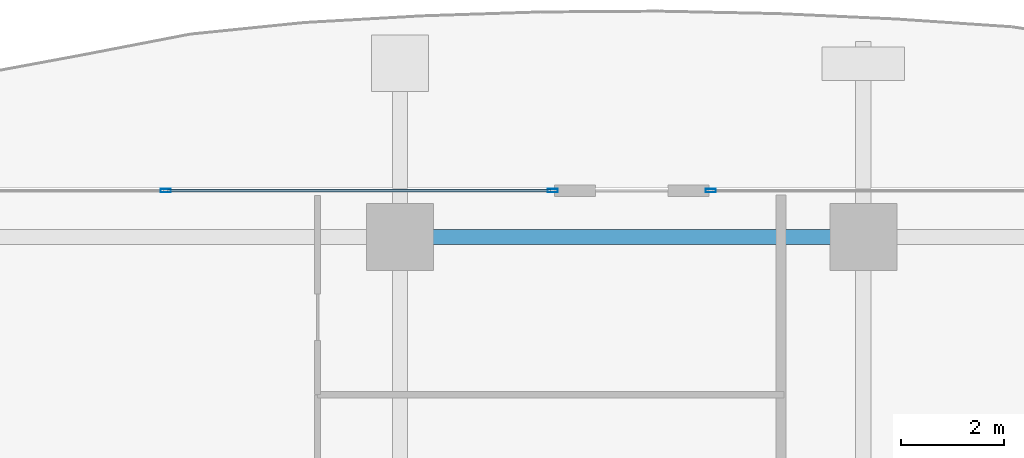
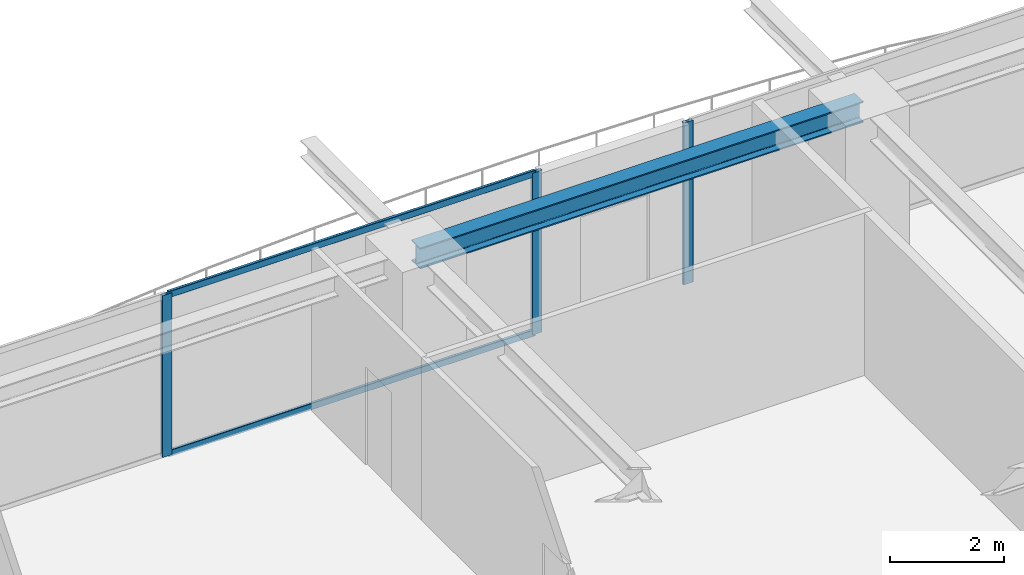
# One storey, part 18 of 33: 5 members, 1 beam, 2 elements without a shape of their own.
"""IFC4 building model written with IfcOpenShell, lengths in metres."""

from ifc_helpers import new_model, si_unit, direction, frame, origin, origin_2d, place, context, subcontext, project, spatial, hollow_rectangle, i_section, extrude, source, transform, mapped, material, layer, layer_set, material_profile, profile_set, type_object, element, aggregate, save


model = new_model("IFC4")

# Units and contexts
model_context = context("Model", 3, precision=1e-05, world=origin(), true_north=direction((0.0, 1.0)))
body_context = subcontext(model_context, "Body", "Model", "MODEL_VIEW")
ifc_project = project(units=[si_unit("LENGTHUNIT", "METRE"), si_unit("AREAUNIT", "SQUARE_METRE"), si_unit("VOLUMEUNIT", "CUBIC_METRE"), si_unit("PLANEANGLEUNIT", "RADIAN"), si_unit("MASSUNIT", "GRAM", prefix="KILO")], contexts=[model_context])

# Site, building, storey
site_placement = place(None, origin())
site = spatial("IfcSite", under=ifc_project, at=site_placement, CompositionType="ELEMENT")
building_placement = place(site_placement, origin())
building = spatial("IfcBuilding", under=site, at=building_placement, Name="Serunith Strait Residences", CompositionType="ELEMENT")
storey_placement = place(building_placement, frame((0.0, 0.0, 150.14990234375)))
storey = spatial("IfcBuildingStorey", under=building, at=storey_placement, Name="L37", CompositionType="ELEMENT", Elevation=150.14990234375)

# Beam
ifc_material_1 = material(Name="Steel S355J2", Category="steel")
ifc_material_profile_1 = material_profile(ifc_material_1, i_section(OverallWidth=0.300048828125, OverallDepth=0.449951171875, WebThickness=0.013916015625, FlangeThickness=0.02587890625, FilletRadius=0.027099609375, at=origin_2d()), Name="HEB 450")
ifc_profile_set_1 = profile_set([ifc_material_profile_1], Name="Steel S355J2")
beam_type = type_object("IfcBeamType", Name="BM-HEB450", PredefinedType="BEAM", material=ifc_profile_set_1)
shared_shape_1 = source(origin(), body_context, "Body", "SweptSolid", [
    extrude(i_section(OverallWidth=0.300048828125, OverallDepth=0.449951171875, WebThickness=0.013916015625, FlangeThickness=0.02587890625, FilletRadius=0.027099609375, at=origin_2d()), origin(), (0.0, 0.0, 1.0), 9.0),
])
beam_placement = place(storey_placement, frame((36.89990234375, 48.10009765625, 3.26220703125), z_axis=(-1.0, 0.0, 0.0), x_axis=(0.0, -1.0, 0.0)))
element("IfcBeam", 1, at=beam_placement, inside=storey, type_object=beam_type, Name="L37 Perimeter Ring Beam 10", PredefinedType="BEAM", context=body_context, shape_type="MappedRepresentation", body=[
    mapped(shared_shape_1, transform((0.0, 0.0, 0.0), scale=1.0)),
])

# Curtain wall, member
ifc_material_2 = material(Name="Pale-Champagne Anodised Aluminium", Category="aluminium")
ifc_layer = layer(ifc_material_2, 0.199951171875, Name="Pale-Champagne Anodised Aluminium")
ifc_layer_set = layer_set([ifc_layer], Name="Pale-Champagne Anodised Aluminium")
curtain_wall_type = type_object("IfcCurtainWallType", Name="CW-SYS2", PredefinedType="NOTDEFINED", material=ifc_layer_set)
curtain_wall_1_placement = place(storey_placement, origin())
curtain_wall_1 = element("IfcCurtainWall", 2, at=curtain_wall_1_placement, inside=storey, type_object=curtain_wall_type, Name="L37 N Unitised Fritted Curtain Wall", PredefinedType="NOTDEFINED")
ifc_material_profile_2 = material_profile(ifc_material_2, hollow_rectangle(XDim=0.070068359375, YDim=0.199951171875, WallThickness=0.00390625, InnerFilletRadius=0.006103515625, OuterFilletRadius=0.010009765625, at=origin_2d()), Name="ALU 200x70x4")
ifc_profile_set_2 = profile_set([ifc_material_profile_2], Name="Pale-Champagne Anodised Aluminium")
member_type_1 = type_object("IfcMemberType", Name="CW-SYS2-MULL", PredefinedType="MULLION", material=ifc_profile_set_2)
shared_shape_2 = source(origin(), body_context, "Body", "SweptSolid", [
    extrude(hollow_rectangle(XDim=0.070068359375, YDim=0.199951171875, WallThickness=0.00390625, InnerFilletRadius=0.006103515625, OuterFilletRadius=0.010009765625, at=origin_2d()), origin(), (0.0, 0.0, 1.0), 3.47509765625),
])
member_1_placement = place(storey_placement, frame((33.93505859375, 49.0, 0.0), z_axis=(0.0, 0.0, 1.0), x_axis=(0.0, -1.0, 0.0)))
member_1 = element("IfcMember", 3, at=member_1_placement, type_object=member_type_1, Name="CW-2 mullion 3", PredefinedType="MULLION", context=body_context, shape_type="MappedRepresentation", body=[
    mapped(shared_shape_2, transform((0.0, 0.0, 0.0), scale=1.0)),
])
aggregate(curtain_wall_1, [member_1])

# Curtain wall, members
curtain_wall_2_placement = place(storey_placement, origin())
curtain_wall_2 = element("IfcCurtainWall", 4, at=curtain_wall_2_placement, inside=storey, type_object=curtain_wall_type, Name="L37 N Unitised Fritted Curtain Wall", PredefinedType="NOTDEFINED")
member_2_placement = place(storey_placement, frame((30.864990234375, 49.0, 0.0), z_axis=(0.0, 0.0, 1.0), x_axis=(0.0, -1.0, 0.0)))
member_2 = element("IfcMember", 5, at=member_2_placement, type_object=member_type_1, Name="CW-2 mullion 1", PredefinedType="MULLION", context=body_context, shape_type="MappedRepresentation", body=[
    mapped(shared_shape_2, transform((0.0, 0.0, 0.0), scale=1.0)),
])
member_3_placement = place(storey_placement, frame((23.35009765625, 49.0, 0.0), z_axis=(0.0, 0.0, 1.0), x_axis=(0.0, -1.0, 0.0)))
member_3 = element("IfcMember", 6, at=member_3_placement, type_object=member_type_1, Name="CW-2 mullion 2", PredefinedType="MULLION", context=body_context, shape_type="MappedRepresentation", body=[
    mapped(shared_shape_2, transform((0.0, 0.0, 0.0), scale=1.0)),
])
ifc_material_profile_3 = material_profile(ifc_material_2, hollow_rectangle(XDim=0.06005859375, YDim=0.139892578125, WallThickness=0.00341796875, InnerFilletRadius=0.00537109375, OuterFilletRadius=0.0087890625, at=origin_2d()), Name="ALU 140x60x3.5")
ifc_profile_set_3 = profile_set([ifc_material_profile_3], Name="Pale-Champagne Anodised Aluminium")
member_type_2 = type_object("IfcMemberType", Name="CW-SYS2-TRAN", PredefinedType="USERDEFINED", material=ifc_profile_set_3)
shared_shape_3 = source(origin(), body_context, "Body", "SweptSolid", [
    extrude(hollow_rectangle(XDim=0.06005859375, YDim=0.139892578125, WallThickness=0.00341796875, InnerFilletRadius=0.00537109375, OuterFilletRadius=0.0087890625, at=origin_2d()), origin(), (0.0, 0.0, 1.0), 7.445068359375),
])
member_4_placement = place(storey_placement, frame((30.830078125, 49.0, 0.030029296875), z_axis=(-1.0, 0.0, 0.0), x_axis=(0.0, -1.0, 0.0)))
member_4 = element("IfcMember", 7, at=member_4_placement, type_object=member_type_2, Name="CW-2 transom 1.1", ObjectType="TRANSOM", PredefinedType="USERDEFINED", context=body_context, shape_type="MappedRepresentation", body=[
    mapped(shared_shape_3, transform((0.0, 0.0, 0.0), scale=1.0)),
])
member_5_placement = place(storey_placement, frame((30.830078125, 49.0, 3.445068359375), z_axis=(-1.0, 0.0, 0.0), x_axis=(0.0, -1.0, 0.0)))
member_5 = element("IfcMember", 8, at=member_5_placement, type_object=member_type_2, Name="CW-2 transom 1.2", ObjectType="TRANSOM", PredefinedType="USERDEFINED", context=body_context, shape_type="MappedRepresentation", body=[
    mapped(shared_shape_3, transform((0.0, 0.0, 0.0), scale=1.0)),
])
aggregate(curtain_wall_2, [member_2, member_3, member_4, member_5])

save(model, "model.ifc")
